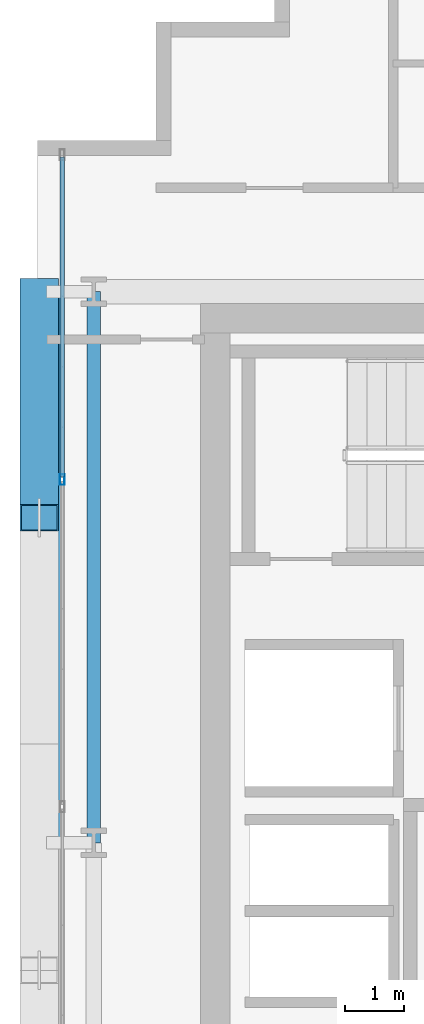
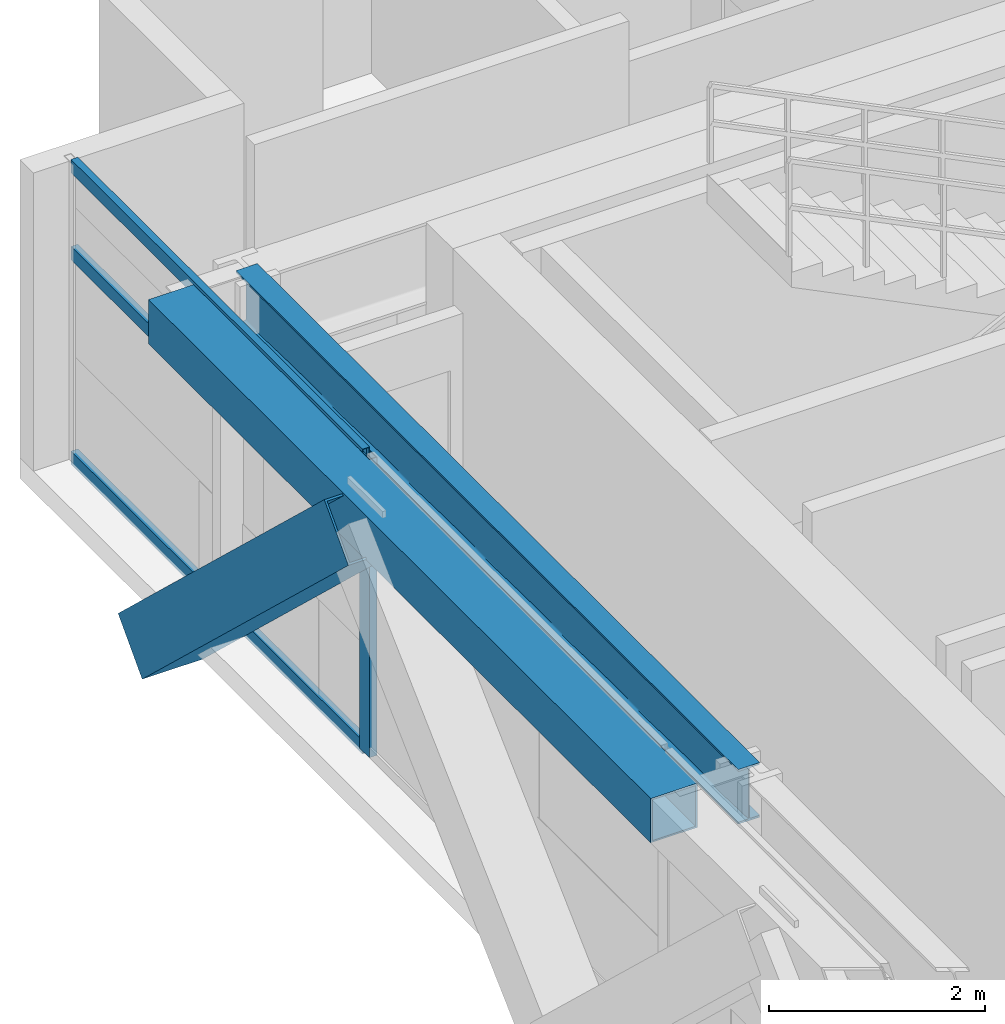
# One storey, part 8 of 31: 5 members, 2 beams, 1 element without a shape of its own.
"""IFC4 building model written with IfcOpenShell, lengths in metres."""

from ifc_helpers import new_model, si_unit, direction, frame, origin, origin_2d, place, context, subcontext, project, spatial, hollow_rectangle, i_section, extrude, source, transform, mapped, material, layer, layer_set, material_profile, profile_set, type_object, element, aggregate, save


model = new_model("IFC4")

# Units and contexts
model_context = context("Model", 3, precision=1e-05, world=origin(), true_north=direction((0.0, 1.0)))
body_context = subcontext(model_context, "Body", "Model", "MODEL_VIEW")
ifc_project = project(units=[si_unit("LENGTHUNIT", "METRE"), si_unit("AREAUNIT", "SQUARE_METRE"), si_unit("VOLUMEUNIT", "CUBIC_METRE"), si_unit("PLANEANGLEUNIT", "RADIAN"), si_unit("MASSUNIT", "GRAM", prefix="KILO")], contexts=[model_context])

# Site, building, storey
site_placement = place(None, origin())
site = spatial("IfcSite", under=ifc_project, at=site_placement, CompositionType="ELEMENT")
building_placement = place(site_placement, origin())
building = spatial("IfcBuilding", under=site, at=building_placement, Name="Ocotamira Hotel", CompositionType="ELEMENT")
storey_placement = place(building_placement, frame((0.0, 0.0, 174.0)))
storey = spatial("IfcBuildingStorey", under=building, at=storey_placement, Name="L43", CompositionType="ELEMENT", Elevation=174.0)

# Beams
ifc_material_1 = material(Name="Steel ASTM A992 Grade 50", Category="steel")
ifc_material_profile_1 = material_profile(ifc_material_1, i_section(OverallWidth=0.22998046875, OverallDepth=0.616943359375, WebThickness=0.01318359375, FlangeThickness=0.022216796875, FilletRadius=0.012939453125, at=origin_2d()), Name="W24X94")
ifc_profile_set_1 = profile_set([ifc_material_profile_1], Name="Steel ASTM A992 Grade 50")
beam_type_1 = type_object("IfcBeamType", Name="BM-PRIM-W24X94", PredefinedType="BEAM", material=ifc_profile_set_1)
shared_shape_1 = source(origin(), body_context, "Body", "SweptSolid", [
    extrude(i_section(OverallWidth=0.22998046875, OverallDepth=0.616943359375, WebThickness=0.01318359375, FlangeThickness=0.022216796875, FilletRadius=0.012939453125, at=origin_2d()), origin(), (0.0, 0.0, 1.0), 9.300048828125),
])
beam_1_placement = place(storey_placement, frame((8.949951171875, 28.14990234375, 3.0615234375), z_axis=(0.0, 1.0, 0.0), x_axis=(-1.0, 0.0, 0.0)))
element("IfcBeam", 1, at=beam_1_placement, inside=storey, type_object=beam_type_1, Name="L43 Beam X8.95 Y28.15-37.45", PredefinedType="BEAM", context=body_context, shape_type="MappedRepresentation", body=[
    mapped(shared_shape_1, transform((0.0, 0.0, 0.0), scale=1.0)),
])
ifc_material_2 = material(Name="Steel ASTM A500 Grade C", Category="steel")
ifc_material_profile_2 = material_profile(ifc_material_2, hollow_rectangle(XDim=0.5, YDim=0.5, WallThickness=0.02001953125, at=origin_2d()), Name="HSS500X500X20")
ifc_profile_set_2 = profile_set([ifc_material_profile_2], Name="Steel ASTM A500 Grade C")
beam_type_2 = type_object("IfcBeamType", Name="BM-SPAN-HSS500", PredefinedType="USERDEFINED", material=ifc_profile_set_2)
shared_shape_2 = source(origin(), body_context, "Body", "SweptSolid", [
    extrude(hollow_rectangle(XDim=0.5, YDim=0.5, WallThickness=0.02001953125, at=origin_2d()), origin(), (0.0, 0.0, 1.0), 9.300048828125),
])
beam_2_placement = place(storey_placement, frame((8.14990234375, 28.14990234375, 3.1201171875), z_axis=(0.0, 1.0, 0.0), x_axis=(-1.0, 0.0, 0.0)))
element("IfcBeam", 2, at=beam_2_placement, inside=storey, type_object=beam_type_2, Name="L43 Edge Spandrel W Y28.15-37.45", ObjectType="SPANDREL", PredefinedType="USERDEFINED", context=body_context, shape_type="MappedRepresentation", body=[
    mapped(shared_shape_2, transform((0.0, 0.0, 0.0), scale=1.0)),
])

# Member
ifc_material_3 = material(Name="Pale-metal coated steel ASTM A913 Grade 65", Category="steel")
ifc_material_profile_3 = material_profile(ifc_material_3, hollow_rectangle(XDim=0.64990234375, YDim=0.64990234375, WallThickness=0.02197265625, at=origin_2d()), Name="BOX650X650X22")
ifc_profile_set_3 = profile_set([ifc_material_profile_3], Name="Pale-metal coated steel ASTM A913 Grade 65")
member_type_1 = type_object("IfcMemberType", Name="MEM-EXO-BOX650", PredefinedType="BRACE", material=ifc_profile_set_3)
shared_shape_3 = source(origin(), body_context, "Body", "SweptSolid", [
    extrude(hollow_rectangle(XDim=0.64990234375, YDim=0.64990234375, WallThickness=0.02197265625, at=origin_2d()), origin(), (0.0, 0.0, 1.0), 5.24658203125),
])
member_1_placement = place(storey_placement, frame((8.030029296875, 37.449951171875, -0.47998046875), z_axis=(0.0, -0.727442733726, 0.686168397078), x_axis=(1.0, 0.0, 0.0)))
element("IfcMember", 3, at=member_1_placement, inside=storey, type_object=member_type_1, Name="L43 Exoskeleton Diagrid W2.2", PredefinedType="BRACE", context=body_context, shape_type="MappedRepresentation", body=[
    mapped(shared_shape_3, transform((0.0, 0.0, 0.0), scale=1.0)),
])

# Curtain wall, members
ifc_material_4 = material(Name="Anodised pale-metal aluminium and solar glass", Category="aluminium")
ifc_layer = layer(ifc_material_4, 0.199951171875)
ifc_layer_set = layer_set([ifc_layer], Name="Anodised pale-metal aluminium and solar glass")
curtain_wall_type = type_object("IfcCurtainWallType", Name="CW-SYS4-Z3", PredefinedType="NOTDEFINED", material=ifc_layer_set)
curtain_wall_placement = place(storey_placement, origin())
curtain_wall = element("IfcCurtainWall", 4, at=curtain_wall_placement, inside=storey, type_object=curtain_wall_type, Name="L43 Curtain Wall CW-4 CW-L43-W", PredefinedType="NOTDEFINED")
ifc_material_5 = material(Name="Anodised pale-metal aluminium 6063-T6", Category="aluminium")
ifc_material_profile_4 = material_profile(ifc_material_5, hollow_rectangle(XDim=0.080078125, YDim=0.179931640625, WallThickness=0.006103515625, at=origin_2d()), Name="HSS180X80X6")
ifc_profile_set_4 = profile_set([ifc_material_profile_4], Name="Anodised pale-metal aluminium 6063-T6")
member_type_2 = type_object("IfcMemberType", Name="CWM-180X75", PredefinedType="MULLION", material=ifc_profile_set_4)
shared_shape_4 = source(origin(), body_context, "Body", "SweptSolid", [
    extrude(hollow_rectangle(XDim=0.080078125, YDim=0.179931640625, WallThickness=0.006103515625, at=origin_2d()), origin(), (0.0, 0.0, 1.0), 3.3701171875),
])
member_2_placement = place(storey_placement, frame((8.419921875, 34.280029296875, 0.0), z_axis=(0.0, 0.0, 1.0), x_axis=(-1.0, 0.0, 0.0)))
member_2 = element("IfcMember", 5, at=member_2_placement, type_object=member_type_2, Name="CW-4 mullion 5", PredefinedType="MULLION", context=body_context, shape_type="MappedRepresentation", body=[
    mapped(shared_shape_4, transform((0.0, 0.0, 0.0), scale=1.0)),
])
ifc_material_profile_5 = material_profile(ifc_material_5, hollow_rectangle(XDim=0.074951171875, YDim=0.14990234375, WallThickness=0.006103515625, at=origin_2d()), Name="HSS150X75X6")
ifc_profile_set_5 = profile_set([ifc_material_profile_5], Name="Anodised pale-metal aluminium 6063-T6")
member_type_3 = type_object("IfcMemberType", Name="CWT-150X75", PredefinedType="USERDEFINED", material=ifc_profile_set_5)
shared_shape_5 = source(origin(), body_context, "Body", "SweptSolid", [
    extrude(hollow_rectangle(XDim=0.074951171875, YDim=0.14990234375, WallThickness=0.006103515625, at=origin_2d()), origin(), (0.0, 0.0, 1.0), 5.39990234375),
])
member_3_placement = place(storey_placement, frame((8.419921875, 34.320068359375, 0.03759765625), z_axis=(0.0, 1.0, 0.0), x_axis=(-1.0, 0.0, 0.0)))
member_3 = element("IfcMember", 6, at=member_3_placement, type_object=member_type_3, Name="CW-4 transom 5.1", ObjectType="TRANSOM", PredefinedType="USERDEFINED", context=body_context, shape_type="MappedRepresentation", body=[
    mapped(shared_shape_5, transform((0.0, 0.0, 0.0), scale=1.0)),
])
member_4_placement = place(storey_placement, frame((8.419921875, 34.320068359375, 2.35009765625), z_axis=(0.0, 1.0, 0.0), x_axis=(-1.0, 0.0, 0.0)))
member_4 = element("IfcMember", 7, at=member_4_placement, type_object=member_type_3, Name="CW-4 transom 5.2", ObjectType="TRANSOM", PredefinedType="USERDEFINED", context=body_context, shape_type="MappedRepresentation", body=[
    mapped(shared_shape_5, transform((0.0, 0.0, 0.0), scale=1.0)),
])
member_5_placement = place(storey_placement, frame((8.419921875, 34.320068359375, 3.33251953125), z_axis=(0.0, 1.0, 0.0), x_axis=(-1.0, 0.0, 0.0)))
member_5 = element("IfcMember", 8, at=member_5_placement, type_object=member_type_3, Name="CW-4 transom 5.3", ObjectType="TRANSOM", PredefinedType="USERDEFINED", context=body_context, shape_type="MappedRepresentation", body=[
    mapped(shared_shape_5, transform((0.0, 0.0, 0.0), scale=1.0)),
])
aggregate(curtain_wall, [member_2, member_3, member_4, member_5])

save(model, "model.ifc")
